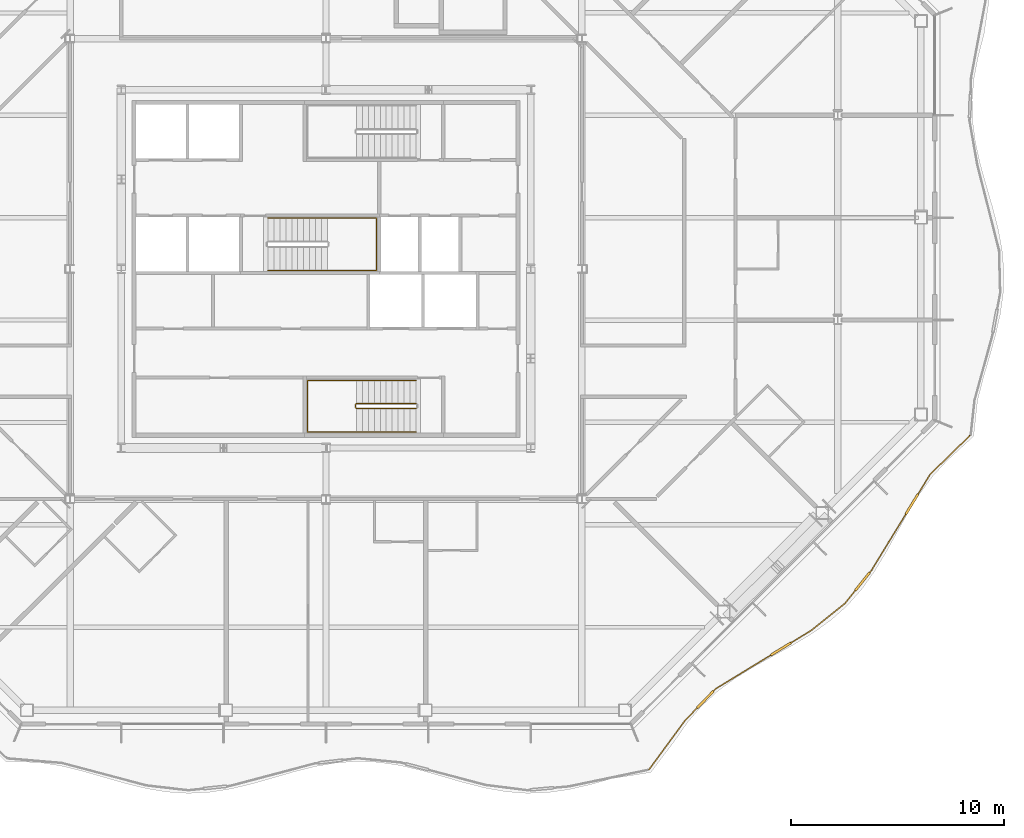
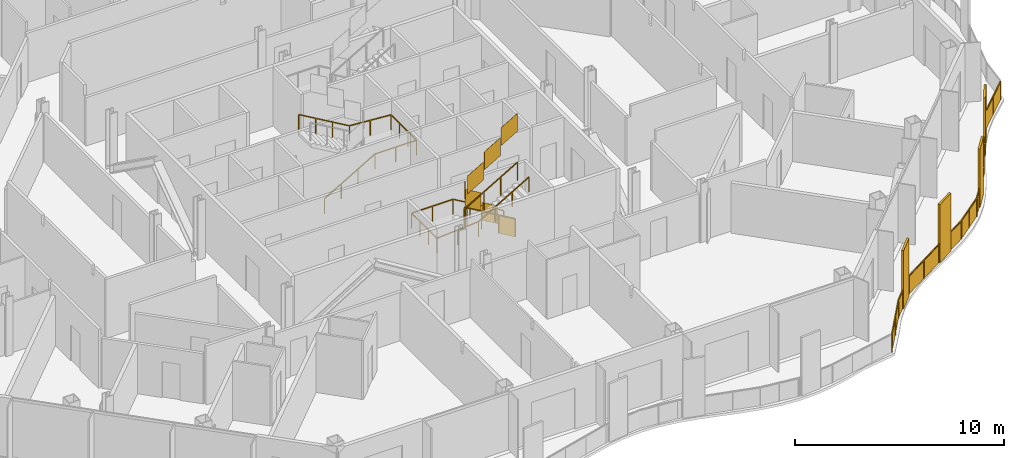
# One storey, part 17 of 21: 4 railings.
"""IFC4 building model written with IfcOpenShell, lengths in metres."""

from ifc_helpers import new_model, si_unit, direction, frame, origin, origin_2d, place, context, subcontext, project, spatial, polyline, rectangle, outline, extrude, material, type_object, element, save


model = new_model("IFC4")

# Units and contexts
model_context = context("Model", 3, precision=1e-05, world=origin(), true_north=direction((0.0, 1.0)))
body_context = subcontext(model_context, "Body", "Model", "MODEL_VIEW")
ifc_project = project(units=[si_unit("LENGTHUNIT", "METRE"), si_unit("AREAUNIT", "SQUARE_METRE"), si_unit("VOLUMEUNIT", "CUBIC_METRE"), si_unit("PLANEANGLEUNIT", "RADIAN"), si_unit("MASSUNIT", "GRAM", prefix="KILO")], contexts=[model_context])

# Site, building, storey
site_placement = place(None, origin())
site = spatial("IfcSite", under=ifc_project, at=site_placement, CompositionType="ELEMENT")
building_placement = place(site_placement, origin())
building = spatial("IfcBuilding", under=site, at=building_placement, Name="Cairn Pilgrim Tower", CompositionType="ELEMENT")
storey_placement = place(building_placement, frame((0.0, 0.0, 154.199951171875)))
storey = spatial("IfcBuildingStorey", under=building, at=storey_placement, Name="L38", CompositionType="ELEMENT", Elevation=154.199951171875)

# Railings
ifc_material_1 = material(Name="Bronze anodised aluminium rail, posts and fin screens with laminated glass infill", Category="aluminium")
railing_type_1 = type_object("IfcRailingType", Name="BALCONY GUARD WITH FIN SCREENS", PredefinedType="GUARDRAIL", material=ifc_material_1)
railing_1_placement = place(storey_placement, frame((22.34912109375, -21.083251953125, 0.0)))
element("IfcRailing", 1, at=railing_1_placement, inside=storey, type_object=railing_type_1, Name="Balcony guard BGF-2 with fin screens", PredefinedType="GUARDRAIL", context=body_context, shape_type="SweptSolid", body=[
    extrude(rectangle(XDim=0.050048828125, YDim=0.050048828125, at=origin_2d()), frame((0.0, 0.0, 1.0751953125), z_axis=(0.591522839966, 0.806288242379, 0.0), x_axis=(-0.806288242379, 0.591522839966, 0.0)), (0.0, 0.0, 1.0), 2.85888671875),
    extrude(rectangle(XDim=1.10009765625, YDim=0.110107421875, at=origin_2d()), frame((2.64111328125, 3.286865234375, 0.0), z_axis=(0.0, 0.0, 1.0), x_axis=(0.695431269671, 0.71859261697, 0.0)), (0.0, 0.0, 1.0), 3.39990234375),
    extrude(rectangle(XDim=0.050048828125, YDim=0.050048828125, at=origin_2d()), frame((1.691162109375, 2.30517578125, 1.0751953125), z_axis=(0.695431269671, 0.71859261697, 0.0), x_axis=(-0.71859261697, 0.695431269671, 0.0)), (0.0, 0.0, 1.0), 0.81591796875),
    extrude(rectangle(XDim=0.050048828125, YDim=0.050048828125, at=origin_2d()), frame((3.023681640625, 3.681884765625, 1.0751953125), z_axis=(0.695431269671, 0.71859261697, 0.0), x_axis=(-0.71859261697, 0.695431269671, 0.0)), (0.0, 0.0, 1.0), 0.14990234375),
    extrude(rectangle(XDim=1.10009765625, YDim=0.110107421875, at=origin_2d()), frame((6.180419921875, 5.655029296875, 0.0), z_axis=(0.0, 0.0, 1.0), x_axis=(0.853305986294, 0.521410484891, 0.0)), (0.0, 0.0, 1.0), 3.39990234375),
    extrude(rectangle(XDim=0.050048828125, YDim=0.050048828125, at=origin_2d()), frame((3.1279296875, 3.789794921875, 1.0751953125), z_axis=(0.853305986294, 0.521410484891, 0.0), x_axis=(-0.521410484891, 0.853305986294, 0.0)), (0.0, 0.0, 1.0), 3.02734375),
    extrude(rectangle(XDim=0.050048828125, YDim=0.050048828125, at=origin_2d()), frame((6.64990234375, 5.94189453125, 1.0751953125), z_axis=(0.853305986294, 0.521410484891, 0.0), x_axis=(-0.521410484891, 0.853305986294, 0.0)), (0.0, 0.0, 1.0), 1.11962890625),
    extrude(rectangle(XDim=0.050048828125, YDim=0.050048828125, at=origin_2d()), frame((7.605224609375, 6.525634765625, 1.0751953125), z_axis=(0.781186607275, 0.624297592991, 0.0), x_axis=(-0.624297592991, 0.781186607275, 0.0)), (0.0, 0.0, 1.0), 2.02294921875),
    extrude(rectangle(XDim=1.10009765625, YDim=0.110107421875, at=origin_2d()), frame((10.01123046875, 8.822265625, 0.0), z_axis=(0.0, 0.0, 1.0), x_axis=(0.624165082232, 0.781292486923, 0.0)), (0.0, 0.0, 1.0), 3.39990234375),
    extrude(rectangle(XDim=0.050048828125, YDim=0.050048828125, at=origin_2d()), frame((9.185546875, 7.78857421875, 1.0751953125), z_axis=(0.624165082232, 0.781292486923, 0.0), x_axis=(-0.781292486923, 0.624165082232, 0.0)), (0.0, 0.0, 1.0), 0.77294921875),
    extrude(rectangle(XDim=0.050048828125, YDim=0.050048828125, at=origin_2d()), frame((10.3544921875, 9.251953125, 1.0751953125), z_axis=(0.624165082232, 0.781292486923, 0.0), x_axis=(-0.781292486923, 0.624165082232, 0.0)), (0.0, 0.0, 1.0), 0.150146484375),
    extrude(rectangle(XDim=1.10009765625, YDim=0.110107421875, at=origin_2d()), frame((12.330078125, 12.448486328125, 0.0), z_axis=(0.0, 0.0, 1.0), x_axis=(0.521431187626, 0.853293335595, 0.0)), (0.0, 0.0, 1.0), 3.39990234375),
    extrude(rectangle(XDim=0.050048828125, YDim=0.050048828125, at=origin_2d()), frame((10.4482421875, 9.369140625, 1.0751953125), z_axis=(0.521431187626, 0.853293335595, 0.0), x_axis=(-0.853293335595, 0.521431187626, 0.0)), (0.0, 0.0, 1.0), 3.058837890625),
    extrude(rectangle(XDim=0.050048828125, YDim=0.050048828125, at=origin_2d()), frame((12.61669921875, 12.917724609375, 1.0751953125), z_axis=(0.521431187626, 0.853293335595, 0.0), x_axis=(-0.853293335595, 0.521431187626, 0.0)), (0.0, 0.0, 1.0), 1.087890625),
    extrude(rectangle(XDim=0.050048828125, YDim=0.050048828125, at=origin_2d()), frame((13.18408203125, 13.84619140625, 1.0751953125), z_axis=(0.715895495153, 0.698207447697, 0.0), x_axis=(-0.698207447697, 0.715895495153, 0.0)), (0.0, 0.0, 1.0), 2.594970703125),
    extrude(rectangle(XDim=0.050048828125, YDim=0.050048828125, at=origin_2d()), origin(), (0.0, 0.0, 1.0), 1.050048828125),
    extrude(rectangle(XDim=0.050048828125, YDim=0.050048828125, at=origin_2d()), frame((0.845703125, 1.152587890625, 0.0)), (0.0, 0.0, 1.0), 1.050048828125),
    extrude(rectangle(XDim=0.050048828125, YDim=0.050048828125, at=origin_2d()), frame((1.691162109375, 2.30517578125, 0.0)), (0.0, 0.0, 1.0), 1.050048828125),
    extrude(rectangle(XDim=0.050048828125, YDim=0.050048828125, at=origin_2d()), frame((2.2412109375, 2.87353515625, 0.0)), (0.0, 0.0, 1.0), 1.050048828125),
    extrude(rectangle(XDim=0.050048828125, YDim=0.050048828125, at=origin_2d()), frame((3.041015625, 3.699951171875, 0.0)), (0.0, 0.0, 1.0), 1.050048828125),
    extrude(rectangle(XDim=0.050048828125, YDim=0.050048828125, at=origin_2d()), frame((3.1279296875, 3.789794921875, 0.0)), (0.0, 0.0, 1.0), 1.050048828125),
    extrude(rectangle(XDim=0.050048828125, YDim=0.050048828125, at=origin_2d()), frame((4.408935546875, 4.572509765625, 0.0)), (0.0, 0.0, 1.0), 1.050048828125),
    extrude(rectangle(XDim=0.050048828125, YDim=0.050048828125, at=origin_2d()), frame((5.68994140625, 5.355224609375, 0.0)), (0.0, 0.0, 1.0), 1.050048828125),
    extrude(rectangle(XDim=0.050048828125, YDim=0.050048828125, at=origin_2d()), frame((6.671142578125, 5.954833984375, 0.0)), (0.0, 0.0, 1.0), 1.050048828125),
    extrude(rectangle(XDim=0.050048828125, YDim=0.050048828125, at=origin_2d()), frame((7.605224609375, 6.525634765625, 0.0)), (0.0, 0.0, 1.0), 1.050048828125),
    extrude(rectangle(XDim=0.050048828125, YDim=0.050048828125, at=origin_2d()), frame((8.3955078125, 7.1572265625, 0.0)), (0.0, 0.0, 1.0), 1.050048828125),
    extrude(rectangle(XDim=0.050048828125, YDim=0.050048828125, at=origin_2d()), frame((9.185546875, 7.78857421875, 0.0)), (0.0, 0.0, 1.0), 1.050048828125),
    extrude(rectangle(XDim=0.050048828125, YDim=0.050048828125, at=origin_2d()), frame((9.65234375, 8.372802734375, 0.0)), (0.0, 0.0, 1.0), 1.050048828125),
    extrude(rectangle(XDim=0.050048828125, YDim=0.050048828125, at=origin_2d()), frame((10.3701171875, 9.271484375, 0.0)), (0.0, 0.0, 1.0), 1.050048828125),
    extrude(rectangle(XDim=0.050048828125, YDim=0.050048828125, at=origin_2d()), frame((10.4482421875, 9.369140625, 0.0)), (0.0, 0.0, 1.0), 1.050048828125),
    extrude(rectangle(XDim=0.050048828125, YDim=0.050048828125, at=origin_2d()), frame((11.2392578125, 10.66357421875, 0.0)), (0.0, 0.0, 1.0), 1.050048828125),
    extrude(rectangle(XDim=0.050048828125, YDim=0.050048828125, at=origin_2d()), frame((12.030029296875, 11.957763671875, 0.0)), (0.0, 0.0, 1.0), 1.050048828125),
    extrude(rectangle(XDim=0.050048828125, YDim=0.050048828125, at=origin_2d()), frame((12.6298828125, 12.939208984375, 0.0)), (0.0, 0.0, 1.0), 1.050048828125),
    extrude(rectangle(XDim=0.050048828125, YDim=0.050048828125, at=origin_2d()), frame((13.18408203125, 13.84619140625, 0.0)), (0.0, 0.0, 1.0), 1.050048828125),
    extrude(rectangle(XDim=0.050048828125, YDim=0.050048828125, at=origin_2d()), frame((14.11279296875, 14.751953125, 0.0)), (0.0, 0.0, 1.0), 1.050048828125),
    extrude(rectangle(XDim=0.050048828125, YDim=0.050048828125, at=origin_2d()), frame((15.041748046875, 15.657958984375, 0.0)), (0.0, 0.0, 1.0), 1.050048828125),
    extrude(outline(polyline([(0.02490234375, 0.0), (1.404541015625, 0.0), (1.404541015625, 1.050048828125), (0.02490234375, 1.050048828125), (0.02490234375, 0.0)])), frame((-0.0048828125, 0.00341796875, 0.0), z_axis=(0.806288242379, -0.591522839966, 0.0), x_axis=(0.591522839966, 0.806288242379, 0.0)), (0.0, 0.0, 1.0), 0.011962890625),
    extrude(outline(polyline([(0.02490234375, 0.0), (1.404541015625, 0.0), (1.404541015625, 1.050048828125), (0.02490234375, 1.050048828125), (0.02490234375, 0.0)])), frame((0.8408203125, 1.156005859375, 0.0), z_axis=(0.806288242379, -0.591522839966, 0.0), x_axis=(0.591522839966, 0.806288242379, 0.0)), (0.0, 0.0, 1.0), 0.011962890625),
    extrude(outline(polyline([(0.02490234375, 0.0), (0.765869140625, 0.0), (0.765869140625, 1.050048828125), (0.02490234375, 1.050048828125), (0.02490234375, 0.0)])), frame((1.686767578125, 2.309326171875, 0.0), z_axis=(0.71859261697, -0.695431269671, 0.0), x_axis=(0.695431269671, 0.71859261697, 0.0)), (0.0, 0.0, 1.0), 0.011962890625),
    extrude(outline(polyline([(0.02490234375, 0.0), (0.099853515625, 0.0), (0.099853515625, 1.050048828125), (0.02490234375, 1.050048828125), (0.02490234375, 0.0)])), frame((3.03662109375, 3.7041015625, 0.0), z_axis=(0.71859261697, -0.695431269671, 0.0), x_axis=(0.695431269671, 0.71859261697, 0.0)), (0.0, 0.0, 1.0), 0.011962890625),
    extrude(outline(polyline([(0.02490234375, 0.0), (1.47607421875, 0.0), (1.47607421875, 1.050048828125), (0.02490234375, 1.050048828125), (0.02490234375, 0.0)])), frame((3.124755859375, 3.794921875, 0.0), z_axis=(0.521410484891, -0.853305986294, 0.0), x_axis=(0.853305986294, 0.521410484891, 0.0)), (0.0, 0.0, 1.0), 0.011962890625),
    extrude(outline(polyline([(0.02490234375, 0.0), (1.47607421875, 0.0), (1.47607421875, 1.050048828125), (0.02490234375, 1.050048828125), (0.02490234375, 0.0)])), frame((4.40576171875, 4.57763671875, 0.0), z_axis=(0.521410484891, -0.853305986294, 0.0), x_axis=(0.853305986294, 0.521410484891, 0.0)), (0.0, 0.0, 1.0), 0.011962890625),
    extrude(outline(polyline([(0.02490234375, 0.0), (1.069580078125, 0.0), (1.069580078125, 1.050048828125), (0.02490234375, 1.050048828125), (0.02490234375, 0.0)])), frame((6.668212890625, 5.9599609375, 0.0), z_axis=(0.521410484891, -0.853305986294, 0.0), x_axis=(0.853305986294, 0.521410484891, 0.0)), (0.0, 0.0, 1.0), 0.011962890625),
    extrude(outline(polyline([(0.02490234375, 0.0), (0.986572265625, 0.0), (0.986572265625, 1.050048828125), (0.02490234375, 1.050048828125), (0.02490234375, 0.0)])), frame((7.6015625, 6.5302734375, 0.0), z_axis=(0.624297592991, -0.781186607275, 0.0), x_axis=(0.781186607275, 0.624297592991, 0.0)), (0.0, 0.0, 1.0), 0.011962890625),
    extrude(outline(polyline([(0.02490234375, 0.0), (0.986572265625, 0.0), (0.986572265625, 1.050048828125), (0.02490234375, 1.050048828125), (0.02490234375, 0.0)])), frame((8.3916015625, 7.161865234375, 0.0), z_axis=(0.624297592991, -0.781186607275, 0.0), x_axis=(0.781186607275, 0.624297592991, 0.0)), (0.0, 0.0, 1.0), 0.011962890625),
    extrude(outline(polyline([(0.02490234375, 0.0), (0.722900390625, 0.0), (0.722900390625, 1.050048828125), (0.02490234375, 1.050048828125), (0.02490234375, 0.0)])), frame((9.180908203125, 7.792236328125, 0.0), z_axis=(0.781292486923, -0.624165082232, 0.0), x_axis=(0.624165082232, 0.781292486923, 0.0)), (0.0, 0.0, 1.0), 0.011962890625),
    extrude(outline(polyline([(0.02490234375, 0.0), (0.10009765625, 0.0), (0.10009765625, 1.050048828125), (0.02490234375, 1.050048828125), (0.02490234375, 0.0)])), frame((10.365478515625, 9.275146484375, 0.0), z_axis=(0.781292486923, -0.624165082232, 0.0), x_axis=(0.624165082232, 0.781292486923, 0.0)), (0.0, 0.0, 1.0), 0.011962890625),
    extrude(outline(polyline([(0.02490234375, 0.0), (1.491943359375, 0.0), (1.491943359375, 1.050048828125), (0.02490234375, 1.050048828125), (0.02490234375, 0.0)])), frame((10.443115234375, 9.372314453125, 0.0), z_axis=(0.853293335595, -0.521431187626, 0.0), x_axis=(0.521431187626, 0.853293335595, 0.0)), (0.0, 0.0, 1.0), 0.011962890625),
    extrude(outline(polyline([(0.02490234375, 0.0), (1.491943359375, 0.0), (1.491943359375, 1.050048828125), (0.02490234375, 1.050048828125), (0.02490234375, 0.0)])), frame((11.234130859375, 10.66650390625, 0.0), z_axis=(0.853293335595, -0.521431187626, 0.0), x_axis=(0.521431187626, 0.853293335595, 0.0)), (0.0, 0.0, 1.0), 0.011962890625),
    extrude(outline(polyline([(0.02490234375, 0.0), (1.037841796875, 0.0), (1.037841796875, 1.050048828125), (0.02490234375, 1.050048828125), (0.02490234375, 0.0)])), frame((12.624755859375, 12.9423828125, 0.0), z_axis=(0.853293335595, -0.521431187626, 0.0), x_axis=(0.521431187626, 0.853293335595, 0.0)), (0.0, 0.0, 1.0), 0.011962890625),
    extrude(outline(polyline([(0.02490234375, 0.0), (1.2724609375, 0.0), (1.2724609375, 1.050048828125), (0.02490234375, 1.050048828125), (0.02490234375, 0.0)])), frame((13.179931640625, 13.8505859375, 0.0), z_axis=(0.698207447697, -0.715895495153, 0.0), x_axis=(0.715895495153, 0.698207447697, 0.0)), (0.0, 0.0, 1.0), 0.011962890625),
    extrude(outline(polyline([(0.02490234375, 0.0), (1.2724609375, 0.0), (1.2724609375, 1.050048828125), (0.02490234375, 1.050048828125), (0.02490234375, 0.0)])), frame((14.108642578125, 14.75634765625, 0.0), z_axis=(0.698207447697, -0.715895495153, 0.0), x_axis=(0.715895495153, 0.698207447697, 0.0)), (0.0, 0.0, 1.0), 0.011962890625),
])
ifc_material_2 = material(Name="Painted steel", Category="steel")
railing_type_2 = type_object("IfcRailingType", Name="STAIR GUARD 1100", PredefinedType="GUARDRAIL", material=ifc_material_2)
railing_2_placement = place(storey_placement, frame((11.425048828125, -3.925048828125, 0.16357421875)))
element("IfcRailing", 2, at=railing_2_placement, inside=storey, type_object=railing_type_2, Name="L38 ST-A stair guard 1", PredefinedType="GUARDRAIL", context=body_context, shape_type="SweptSolid", body=[
    extrude(rectangle(XDim=0.048095703125, YDim=0.048095703125, at=origin_2d()), frame((0.0, 0.0, 1.076171875), z_axis=(-0.863360870873, 0.0, 0.504586966384), x_axis=(0.0, -1.0, 0.0)), (0.0, 0.0, 1.0), 3.2431640625),
    extrude(rectangle(XDim=0.048095703125, YDim=0.048095703125, at=origin_2d()), frame((-2.800048828125, 0.0, 2.71240234375), z_axis=(-0.707106781187, -0.707106781187, 0.0), x_axis=(0.707106781187, -0.707106781187, 0.0)), (0.0, 0.0, 1.0), 0.07080078125),
    extrude(rectangle(XDim=0.048095703125, YDim=0.048095703125, at=origin_2d()), frame((-2.85009765625, -0.050048828125, 2.71240234375), z_axis=(0.0, -1.0, 0.0), x_axis=(1.0, 0.0, 0.0)), (0.0, 0.0, 1.0), 0.125),
    extrude(rectangle(XDim=0.048095703125, YDim=0.048095703125, at=origin_2d()), frame((-2.85009765625, -0.175048828125, 2.71240234375), z_axis=(0.280916556609, -0.279546231943, 0.91811752648), x_axis=(0.705375805398, 0.708833529934, 0.0)), (0.0, 0.0, 1.0), 0.17822265625),
    extrude(rectangle(XDim=0.048095703125, YDim=0.048095703125, at=origin_2d()), frame((-2.800048828125, -0.224853515625, 2.8759765625), z_axis=(0.863360870873, 0.0, 0.504586966384), x_axis=(0.0, 1.0, 0.0)), (0.0, 0.0, 1.0), 3.2431640625),
    extrude(rectangle(XDim=0.0419921875, YDim=0.0419921875, at=origin_2d()), origin(), (0.0, 0.0, 1.0), 1.052001953125),
    extrude(rectangle(XDim=0.0419921875, YDim=0.0419921875, at=origin_2d()), frame((-0.933349609375, 0.0, 0.54541015625)), (0.0, 0.0, 1.0), 1.052001953125),
    extrude(rectangle(XDim=0.0419921875, YDim=0.0419921875, at=origin_2d()), frame((-1.86669921875, 0.0, 1.091064453125)), (0.0, 0.0, 1.0), 1.052001953125),
    extrude(rectangle(XDim=0.0419921875, YDim=0.0419921875, at=origin_2d()), frame((-2.800048828125, 0.0, 1.636474609375)), (0.0, 0.0, 1.0), 1.052001953125),
    extrude(rectangle(XDim=0.0419921875, YDim=0.0419921875, at=origin_2d()), frame((-2.85009765625, -0.050048828125, 1.636474609375)), (0.0, 0.0, 1.0), 1.052001953125),
    extrude(rectangle(XDim=0.0419921875, YDim=0.0419921875, at=origin_2d()), frame((-2.85009765625, -0.175048828125, 1.636474609375)), (0.0, 0.0, 1.0), 1.052001953125),
    extrude(rectangle(XDim=0.0419921875, YDim=0.0419921875, at=origin_2d()), frame((-2.800048828125, -0.224853515625, 1.800048828125)), (0.0, 0.0, 1.0), 1.052001953125),
    extrude(rectangle(XDim=0.0419921875, YDim=0.0419921875, at=origin_2d()), frame((-1.86669921875, -0.224853515625, 2.345458984375)), (0.0, 0.0, 1.0), 1.052001953125),
    extrude(rectangle(XDim=0.0419921875, YDim=0.0419921875, at=origin_2d()), frame((-0.933349609375, -0.224853515625, 2.89111328125)), (0.0, 0.0, 1.0), 1.052001953125),
    extrude(rectangle(XDim=0.0419921875, YDim=0.0419921875, at=origin_2d()), frame((0.0, -0.224853515625, 3.4365234375)), (0.0, 0.0, 1.0), 1.052001953125),
    extrude(outline(polyline([(0.02099609375, 0.01220703125), (0.912353515625, 0.533203125), (0.912353515625, 1.585205078125), (0.02099609375, 1.064208984375), (0.02099609375, 0.01220703125)])), frame((0.0, -0.005859375, 0.0), z_axis=(0.0, 1.0, 0.0), x_axis=(-1.0, 0.0, 0.0)), (0.0, 0.0, 1.0), 0.011962890625),
    extrude(outline(polyline([(0.02099609375, 0.557861328125), (0.912353515625, 1.07861328125), (0.912353515625, 2.130615234375), (0.02099609375, 1.60986328125), (0.02099609375, 0.557861328125)])), frame((-0.933349609375, -0.005859375, 0.54541015625), z_axis=(0.0, 1.0, 0.0), x_axis=(-1.0, 0.0, 0.0)), (0.0, 0.0, 1.0), 0.011962890625),
    extrude(outline(polyline([(0.02099609375, 1.103271484375), (0.912353515625, 1.624267578125), (0.912353515625, 2.67626953125), (0.02099609375, 2.1552734375), (0.02099609375, 1.103271484375)])), frame((-1.86669921875, -0.005859375, 1.091064453125), z_axis=(0.0, 1.0, 0.0), x_axis=(-1.0, 0.0, 0.0)), (0.0, 0.0, 1.0), 0.011962890625),
    extrude(outline(polyline([(0.02099609375, 1.636474609375), (0.10400390625, 1.636474609375), (0.10400390625, 2.6884765625), (0.02099609375, 2.6884765625), (0.02099609375, 1.636474609375)])), frame((-2.84423828125, -0.050048828125, 1.636474609375), z_axis=(-1.0, 0.0, 0.0), x_axis=(0.0, -1.0, 0.0)), (0.0, 0.0, 1.0), 0.011962890625),
    extrude(outline(polyline([(0.02099609375, 1.812255859375), (0.912353515625, 2.333251953125), (0.912353515625, 3.38525390625), (0.02099609375, 2.8642578125), (0.02099609375, 1.812255859375)])), frame((-2.800048828125, -0.21875, 1.800048828125), z_axis=(0.0, -1.0, 0.0), x_axis=(1.0, 0.0, 0.0)), (0.0, 0.0, 1.0), 0.011962890625),
    extrude(outline(polyline([(0.02099609375, 2.35791015625), (0.912353515625, 2.878662109375), (0.912353515625, 3.9306640625), (0.02099609375, 3.409912109375), (0.02099609375, 2.35791015625)])), frame((-1.86669921875, -0.21875, 2.345458984375), z_axis=(0.0, -1.0, 0.0), x_axis=(1.0, 0.0, 0.0)), (0.0, 0.0, 1.0), 0.011962890625),
    extrude(outline(polyline([(0.02099609375, 2.9033203125), (0.912353515625, 3.42431640625), (0.912353515625, 4.476318359375), (0.02099609375, 3.955322265625), (0.02099609375, 2.9033203125)])), frame((-0.933349609375, -0.21875, 2.89111328125), z_axis=(0.0, -1.0, 0.0), x_axis=(1.0, 0.0, 0.0)), (0.0, 0.0, 1.0), 0.011962890625),
])
railing_type_3 = type_object("IfcRailingType", Name="STAIR HANDRAIL 900", PredefinedType="HANDRAIL", material=ifc_material_2)
railing_3_placement = place(storey_placement, frame((11.425048828125, -2.824951171875, 0.16357421875)))
element("IfcRailing", 3, at=railing_3_placement, inside=storey, type_object=railing_type_3, Name="L38 ST-A stair handrail 1", PredefinedType="HANDRAIL", context=body_context, shape_type="SweptSolid", body=[
    extrude(rectangle(XDim=0.048095703125, YDim=0.048095703125, at=origin_2d()), frame((0.0, 0.0, 0.8759765625), z_axis=(-0.863360870873, 0.0, 0.504586966384), x_axis=(0.0, -1.0, 0.0)), (0.0, 0.0, 1.0), 3.2431640625),
    extrude(rectangle(XDim=0.048095703125, YDim=0.048095703125, at=origin_2d()), frame((-2.800048828125, 0.0, 2.51220703125), z_axis=(-1.0, 0.0, 0.0), x_axis=(0.0, -1.0, 0.0)), (0.0, 0.0, 1.0), 2.300048828125),
    extrude(rectangle(XDim=0.048095703125, YDim=0.048095703125, at=origin_2d()), frame((-5.10009765625, 0.0, 2.51220703125), z_axis=(0.0, -1.0, 0.0), x_axis=(1.0, 0.0, 0.0)), (0.0, 0.0, 1.0), 2.425048828125),
    extrude(rectangle(XDim=0.048095703125, YDim=0.048095703125, at=origin_2d()), frame((-5.10009765625, -2.425048828125, 2.51220703125), z_axis=(0.997480687736, 0.0, 0.070938548008), x_axis=(0.0, 1.0, 0.0)), (0.0, 0.0, 1.0), 2.305908203125),
    extrude(rectangle(XDim=0.048095703125, YDim=0.048095703125, at=origin_2d()), frame((-2.800048828125, -2.425048828125, 2.67578125), z_axis=(0.863360870873, 0.0, 0.504586966384), x_axis=(0.0, 1.0, 0.0)), (0.0, 0.0, 1.0), 3.2431640625),
    extrude(rectangle(XDim=0.0419921875, YDim=0.0419921875, at=origin_2d()), origin(), (0.0, 0.0, 1.0), 0.851806640625),
    extrude(rectangle(XDim=0.0419921875, YDim=0.0419921875, at=origin_2d()), frame((-0.933349609375, 0.0, 0.54541015625)), (0.0, 0.0, 1.0), 0.851806640625),
    extrude(rectangle(XDim=0.0419921875, YDim=0.0419921875, at=origin_2d()), frame((-1.86669921875, 0.0, 1.091064453125)), (0.0, 0.0, 1.0), 0.851806640625),
    extrude(rectangle(XDim=0.0419921875, YDim=0.0419921875, at=origin_2d()), frame((-2.800048828125, 0.0, 1.636474609375)), (0.0, 0.0, 1.0), 0.851806640625),
    extrude(rectangle(XDim=0.0419921875, YDim=0.0419921875, at=origin_2d()), frame((-3.9501953125, 0.0, 1.636474609375)), (0.0, 0.0, 1.0), 0.851806640625),
    extrude(rectangle(XDim=0.0419921875, YDim=0.0419921875, at=origin_2d()), frame((-5.10009765625, 0.0, 1.636474609375)), (0.0, 0.0, 1.0), 0.851806640625),
    extrude(rectangle(XDim=0.0419921875, YDim=0.0419921875, at=origin_2d()), frame((-5.10009765625, -0.808349609375, 1.636474609375)), (0.0, 0.0, 1.0), 0.851806640625),
    extrude(rectangle(XDim=0.0419921875, YDim=0.0419921875, at=origin_2d()), frame((-5.10009765625, -1.61669921875, 1.636474609375)), (0.0, 0.0, 1.0), 0.851806640625),
    extrude(rectangle(XDim=0.0419921875, YDim=0.0419921875, at=origin_2d()), frame((-5.10009765625, -2.425048828125, 1.636474609375)), (0.0, 0.0, 1.0), 0.851806640625),
    extrude(rectangle(XDim=0.0419921875, YDim=0.0419921875, at=origin_2d()), frame((-3.9501953125, -2.425048828125, 1.71826171875)), (0.0, 0.0, 1.0), 0.851806640625),
    extrude(rectangle(XDim=0.0419921875, YDim=0.0419921875, at=origin_2d()), frame((-2.800048828125, -2.425048828125, 1.800048828125)), (0.0, 0.0, 1.0), 0.851806640625),
    extrude(rectangle(XDim=0.0419921875, YDim=0.0419921875, at=origin_2d()), frame((-1.86669921875, -2.425048828125, 2.345458984375)), (0.0, 0.0, 1.0), 0.851806640625),
    extrude(rectangle(XDim=0.0419921875, YDim=0.0419921875, at=origin_2d()), frame((-0.933349609375, -2.425048828125, 2.89111328125)), (0.0, 0.0, 1.0), 0.851806640625),
    extrude(rectangle(XDim=0.0419921875, YDim=0.0419921875, at=origin_2d()), frame((0.0, -2.425048828125, 3.4365234375)), (0.0, 0.0, 1.0), 0.851806640625),
])
railing_4_placement = place(storey_placement, frame((4.47509765625, 2.324951171875, 0.16357421875)))
element("IfcRailing", 4, at=railing_4_placement, inside=storey, type_object=railing_type_3, Name="L38 ST-B stair handrail 1", PredefinedType="HANDRAIL", context=body_context, shape_type="SweptSolid", body=[
    extrude(rectangle(XDim=0.048095703125, YDim=0.048095703125, at=origin_2d()), frame((0.0, 0.0, 0.8759765625), z_axis=(0.863341702679, 0.0, 0.504619762213), x_axis=(0.0, 1.0, 0.0)), (0.0, 0.0, 1.0), 3.242919921875),
    extrude(rectangle(XDim=0.048095703125, YDim=0.048095703125, at=origin_2d()), frame((2.7998046875, 0.0, 2.51220703125), z_axis=(1.0, 0.0, 0.0), x_axis=(0.0, 1.0, 0.0)), (0.0, 0.0, 1.0), 2.300048828125),
    extrude(rectangle(XDim=0.048095703125, YDim=0.048095703125, at=origin_2d()), frame((5.099853515625, 0.0, 2.51220703125), z_axis=(0.0, 1.0, 0.0), x_axis=(-1.0, 0.0, 0.0)), (0.0, 0.0, 1.0), 2.449951171875),
    extrude(rectangle(XDim=0.048095703125, YDim=0.048095703125, at=origin_2d()), frame((5.099853515625, 2.449951171875, 2.51220703125), z_axis=(-0.997480687736, 0.0, 0.070938548008), x_axis=(0.0, -1.0, 0.0)), (0.0, 0.0, 1.0), 2.305908203125),
    extrude(rectangle(XDim=0.048095703125, YDim=0.048095703125, at=origin_2d()), frame((2.7998046875, 2.449951171875, 2.67578125), z_axis=(-0.863341702679, 0.0, 0.504619762213), x_axis=(0.0, -1.0, 0.0)), (0.0, 0.0, 1.0), 3.242919921875),
    extrude(rectangle(XDim=0.0419921875, YDim=0.0419921875, at=origin_2d()), origin(), (0.0, 0.0, 1.0), 0.851806640625),
    extrude(rectangle(XDim=0.0419921875, YDim=0.0419921875, at=origin_2d()), frame((0.933349609375, 0.0, 0.54541015625)), (0.0, 0.0, 1.0), 0.851806640625),
    extrude(rectangle(XDim=0.0419921875, YDim=0.0419921875, at=origin_2d()), frame((1.866455078125, 0.0, 1.091064453125)), (0.0, 0.0, 1.0), 0.851806640625),
    extrude(rectangle(XDim=0.0419921875, YDim=0.0419921875, at=origin_2d()), frame((2.7998046875, 0.0, 1.636474609375)), (0.0, 0.0, 1.0), 0.851806640625),
    extrude(rectangle(XDim=0.0419921875, YDim=0.0419921875, at=origin_2d()), frame((3.94970703125, 0.0, 1.636474609375)), (0.0, 0.0, 1.0), 0.851806640625),
    extrude(rectangle(XDim=0.0419921875, YDim=0.0419921875, at=origin_2d()), frame((5.099853515625, 0.0, 1.636474609375)), (0.0, 0.0, 1.0), 0.851806640625),
    extrude(rectangle(XDim=0.0419921875, YDim=0.0419921875, at=origin_2d()), frame((5.099853515625, 0.816650390625, 1.636474609375)), (0.0, 0.0, 1.0), 0.851806640625),
    extrude(rectangle(XDim=0.0419921875, YDim=0.0419921875, at=origin_2d()), frame((5.099853515625, 1.63330078125, 1.636474609375)), (0.0, 0.0, 1.0), 0.851806640625),
    extrude(rectangle(XDim=0.0419921875, YDim=0.0419921875, at=origin_2d()), frame((5.099853515625, 2.449951171875, 1.636474609375)), (0.0, 0.0, 1.0), 0.851806640625),
    extrude(rectangle(XDim=0.0419921875, YDim=0.0419921875, at=origin_2d()), frame((3.94970703125, 2.449951171875, 1.71826171875)), (0.0, 0.0, 1.0), 0.851806640625),
    extrude(rectangle(XDim=0.0419921875, YDim=0.0419921875, at=origin_2d()), frame((2.7998046875, 2.449951171875, 1.800048828125)), (0.0, 0.0, 1.0), 0.851806640625),
    extrude(rectangle(XDim=0.0419921875, YDim=0.0419921875, at=origin_2d()), frame((1.866455078125, 2.449951171875, 2.345458984375)), (0.0, 0.0, 1.0), 0.851806640625),
    extrude(rectangle(XDim=0.0419921875, YDim=0.0419921875, at=origin_2d()), frame((0.933349609375, 2.449951171875, 2.89111328125)), (0.0, 0.0, 1.0), 0.851806640625),
    extrude(rectangle(XDim=0.0419921875, YDim=0.0419921875, at=origin_2d()), frame((0.0, 2.449951171875, 3.4365234375)), (0.0, 0.0, 1.0), 0.851806640625),
])

save(model, "model.ifc")
